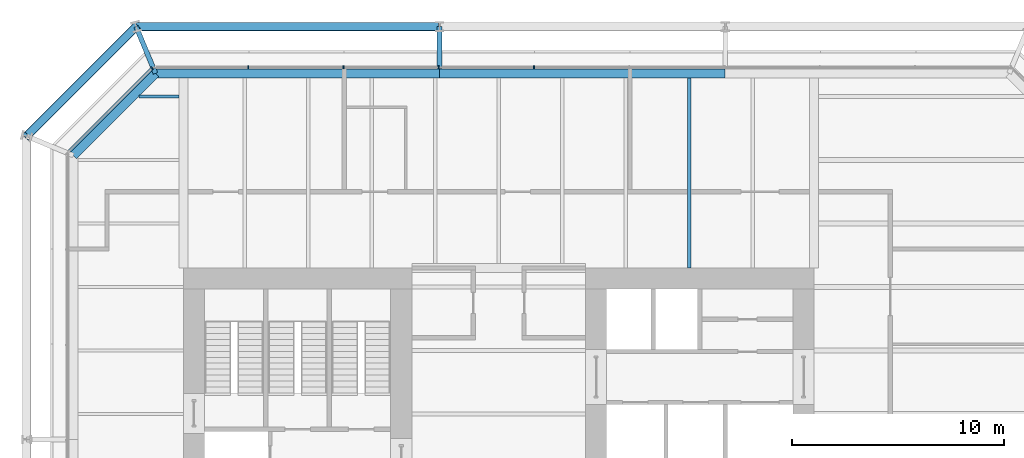
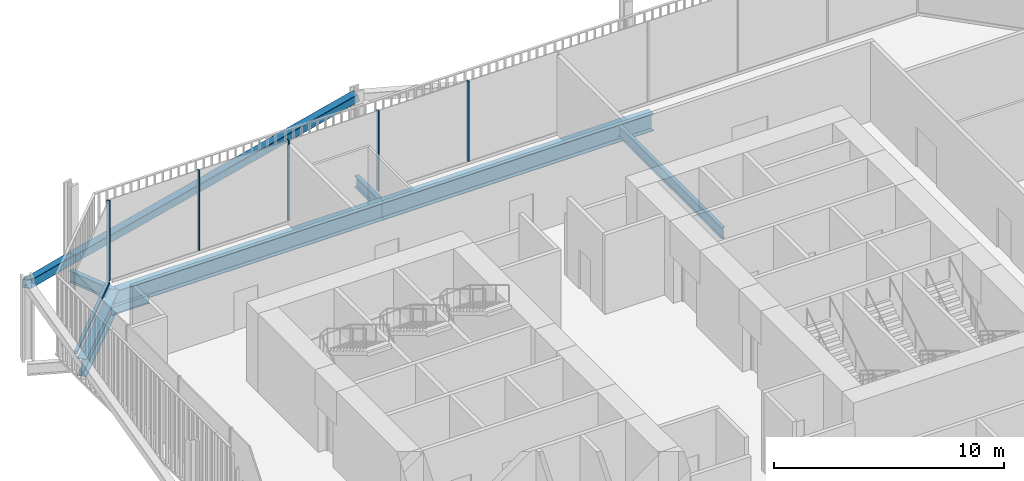
# One storey, part 12 of 21: 8 members, 7 beams, 2 elements without a shape of their own.
"""IFC4 building model written with IfcOpenShell, lengths in metres."""

from ifc_helpers import new_model, si_unit, direction, frame, origin, origin_2d, place, context, subcontext, project, spatial, rectangle, hollow_rectangle, i_section, extrude, material, layer, layer_set, material_profile, profile_set, type_object, element, aggregate, save


model = new_model("IFC4")

# Units and contexts
model_context = context("Model", 3, precision=1e-05, world=origin(), true_north=direction((0.0, 1.0)))
body_context = subcontext(model_context, "Body", "Model", "MODEL_VIEW")
ifc_project = project(units=[si_unit("LENGTHUNIT", "METRE"), si_unit("AREAUNIT", "SQUARE_METRE"), si_unit("VOLUMEUNIT", "CUBIC_METRE"), si_unit("PLANEANGLEUNIT", "RADIAN"), si_unit("MASSUNIT", "GRAM", prefix="KILO")], contexts=[model_context])

# Site, building, storey
site_placement = place(None, origin())
site = spatial("IfcSite", under=ifc_project, at=site_placement, CompositionType="ELEMENT")
building_placement = place(site_placement, origin())
building = spatial("IfcBuilding", under=site, at=building_placement, Name="Millrace Tower", CompositionType="ELEMENT")
storey_placement = place(building_placement, frame((0.0, 0.0, 90.800048828125)))
storey = spatial("IfcBuildingStorey", under=building, at=storey_placement, Name="L20", CompositionType="ELEMENT", Elevation=90.800048828125)

# Curtain wall, members
ifc_material_1 = material(Name="Aluminium and glass", Category="aluminium")
ifc_layer = layer(ifc_material_1, 0.14990234375)
ifc_layer_set = layer_set([ifc_layer], Name="Aluminium and glass")
curtain_wall_type = type_object("IfcCurtainWallType", Name="CW-3 telecom floor curtain wall", PredefinedType="NOTDEFINED", material=ifc_layer_set)
placement = place(storey_placement, origin())
curtain_wall_1 = element("IfcCurtainWall", 1, at=placement, inside=storey, type_object=curtain_wall_type, Name="Curtain wall B-F06 L20", PredefinedType="NOTDEFINED")
ifc_material_2 = material(Name="Aluminium", Category="aluminium")
ifc_material_profile_1 = material_profile(ifc_material_2, rectangle(XDim=0.06494140625, YDim=0.14990234375, at=origin_2d()))
ifc_profile_set_1 = profile_set([ifc_material_profile_1], Name="Aluminium")
member_type_1 = type_object("IfcMemberType", Name="CW-3 telecom floor curtain wall mullion", PredefinedType="MULLION", material=ifc_profile_set_1)
member_1_placement = place(storey_placement, frame((1.66748046875, 19.375, 0.14990234375), z_axis=(0.0, 0.0, 1.0), x_axis=(-1.0, 0.0, 0.0)))
member_1 = element("IfcMember", 2, at=member_1_placement, type_object=member_type_1, Name="CW3 mullion B-F06.6", PredefinedType="MULLION", context=body_context, shape_type="SweptSolid", body=[
    extrude(rectangle(XDim=0.06494140625, YDim=0.14990234375, at=origin_2d()), origin(), (0.0, 0.0, 1.0), 4.25),
])
member_2_placement = place(storey_placement, frame((-2.83251953125, 19.375, 0.14990234375), z_axis=(0.0, 0.0, 1.0), x_axis=(-1.0, 0.0, 0.0)))
member_2 = element("IfcMember", 3, at=member_2_placement, type_object=member_type_1, Name="CW3 mullion B-F06.7", PredefinedType="MULLION", context=body_context, shape_type="SweptSolid", body=[
    extrude(rectangle(XDim=0.06494140625, YDim=0.14990234375, at=origin_2d()), origin(), (0.0, 0.0, 1.0), 4.25),
])
member_3_placement = place(storey_placement, frame((-7.33251953125, 19.375, 0.14990234375), z_axis=(0.0, 0.0, 1.0), x_axis=(-1.0, 0.0, 0.0)))
member_3 = element("IfcMember", 4, at=member_3_placement, type_object=member_type_1, Name="CW3 mullion B-F06.8", PredefinedType="MULLION", context=body_context, shape_type="SweptSolid", body=[
    extrude(rectangle(XDim=0.06494140625, YDim=0.14990234375, at=origin_2d()), origin(), (0.0, 0.0, 1.0), 4.25),
])
member_4_placement = place(storey_placement, frame((-11.83251953125, 19.375, 0.14990234375), z_axis=(0.0, 0.0, 1.0), x_axis=(-1.0, 0.0, 0.0)))
member_4 = element("IfcMember", 5, at=member_4_placement, type_object=member_type_1, Name="CW3 mullion B-F06.9", PredefinedType="MULLION", context=body_context, shape_type="SweptSolid", body=[
    extrude(rectangle(XDim=0.06494140625, YDim=0.14990234375, at=origin_2d()), origin(), (0.0, 0.0, 1.0), 4.25),
])
aggregate(curtain_wall_1, [member_1, member_2, member_3, member_4])

curtain_wall_2 = element("IfcCurtainWall", 6, at=placement, inside=storey, type_object=curtain_wall_type, Name="Curtain wall B-F07 L20", PredefinedType="NOTDEFINED")
member_5_placement = place(storey_placement, frame((-16.3759765625, 19.330078125, 0.14990234375), z_axis=(0.0, 0.0, 1.0), x_axis=(-0.707106781187, -0.707106781187, 0.0)))
member_5 = element("IfcMember", 7, at=member_5_placement, type_object=member_type_1, Name="CW3 mullion B-F07.1", PredefinedType="MULLION", context=body_context, shape_type="SweptSolid", body=[
    extrude(rectangle(XDim=0.06494140625, YDim=0.14990234375, at=origin_2d()), origin(), (0.0, 0.0, 1.0), 4.25),
])
ifc_material_3 = material(Name="Aluminium", Category="aluminium")
ifc_material_profile_2 = material_profile(ifc_material_3, rectangle(XDim=0.14990234375, YDim=0.14990234375, at=origin_2d()))
ifc_profile_set_2 = profile_set([ifc_material_profile_2], Name="Aluminium")
member_type_2 = type_object("IfcMemberType", Name="CW-3 telecom floor curtain wall transom", PredefinedType="USERDEFINED", material=ifc_profile_set_2)
member_6_placement = place(storey_placement, frame((-16.423828125, 19.2822265625, 0.074951171875), z_axis=(-0.707106781187, -0.707106781187, 0.0), x_axis=(0.707106781187, -0.707106781187, 0.0)))
member_6 = element("IfcMember", 8, at=member_6_placement, type_object=member_type_2, Name="CW3 transom B-F07.1", ObjectType="TRANSOM", PredefinedType="USERDEFINED", context=body_context, shape_type="SweptSolid", body=[
    extrude(rectangle(XDim=0.14990234375, YDim=0.14990234375, at=origin_2d()), origin(), (0.0, 0.0, 1.0), 5.45654296875),
])
aggregate(curtain_wall_2, [member_5, member_6])

# Members
ifc_material_4 = material(Name="Steel ASTM A500 Grade C", Category="steel")
ifc_material_profile_3 = material_profile(ifc_material_4, hollow_rectangle(XDim=0.406494140625, YDim=0.406494140625, WallThickness=0.015869140625, InnerFilletRadius=0.008056640625, OuterFilletRadius=0.02392578125, at=origin_2d()))
ifc_profile_set_3 = profile_set([ifc_material_profile_3], Name="Steel ASTM A500 Grade C")
member_type_3 = type_object("IfcMemberType", Name="Exoskeleton brace HSS16x16x5/8", PredefinedType="BRACE", material=ifc_profile_set_3)
member_7_placement = place(storey_placement, frame((-17.12841796875, 21.300048828125, 0.39990234375), z_axis=(0.969855058964, 0.0, 0.243682507787), x_axis=(0.0, 1.0, 0.0)))
element("IfcMember", 9, at=member_7_placement, inside=storey, type_object=member_type_3, Name="BRC-B-L20-12", PredefinedType="BRACE", context=body_context, shape_type="SweptSolid", body=[
    extrude(hollow_rectangle(XDim=0.406494140625, YDim=0.406494140625, WallThickness=0.015869140625, InnerFilletRadius=0.008056640625, OuterFilletRadius=0.02392578125, at=origin_2d()), origin(), (0.0, 0.0, 1.0), 14.773681640625),
])
member_8_placement = place(storey_placement, frame((-17.12841796875, 21.300048828125, 0.39990234375), z_axis=(-0.634413949017, -0.634413949017, 0.441630934816), x_axis=(0.707106781187, -0.707106781187, 0.0)))
element("IfcMember", 10, at=member_8_placement, inside=storey, type_object=member_type_3, Name="BRC-B-L20-13", PredefinedType="BRACE", context=body_context, shape_type="SweptSolid", body=[
    extrude(hollow_rectangle(XDim=0.406494140625, YDim=0.406494140625, WallThickness=0.015869140625, InnerFilletRadius=0.008056640625, OuterFilletRadius=0.02392578125, at=origin_2d()), origin(), (0.0, 0.0, 1.0), 8.15185546875),
])

# Beams
ifc_material_5 = material(Name="Steel ASTM A992 Grade 50", Category="steel")
ifc_material_profile_4 = material_profile(ifc_material_5, i_section(OverallWidth=0.15234375, OverallDepth=0.449462890625, WebThickness=0.007568359375, FlangeThickness=0.0107421875, FilletRadius=0.01025390625, at=origin_2d()))
ifc_profile_set_4 = profile_set([ifc_material_profile_4], Name="Steel ASTM A992 Grade 50")
beam_type_1 = type_object("IfcBeamType", Name="Floor beam W18x35", PredefinedType="JOIST", material=ifc_profile_set_4)
beam_1_placement = place(storey_placement, frame((-16.995361328125, 18.0, -0.4248046875), z_axis=(1.0, 0.0, 0.0), x_axis=(0.0, 1.0, 0.0)))
element("IfcBeam", 11, at=beam_1_placement, inside=storey, type_object=beam_type_1, Name="BM-B-L20-S1-S038", PredefinedType="JOIST", context=body_context, shape_type="SweptSolid", body=[
    extrude(i_section(OverallWidth=0.15234375, OverallDepth=0.449462890625, WebThickness=0.007568359375, FlangeThickness=0.0107421875, FilletRadius=0.01025390625, at=origin_2d()), origin(), (0.0, 0.0, 1.0), 1.884521484375),
])
ifc_material_6 = material(Name="Steel ASTM A992 Grade 50", Category="steel")
ifc_material_profile_5 = material_profile(ifc_material_6, i_section(OverallWidth=0.177978515625, OverallDepth=0.599365234375, WebThickness=0.010009765625, FlangeThickness=0.012939453125, FilletRadius=0.012939453125, at=origin_2d()))
ifc_profile_set_5 = profile_set([ifc_material_profile_5], Name="Steel ASTM A992 Grade 50")
beam_type_2 = type_object("IfcBeamType", Name="Floor beam W24x55", PredefinedType="JOIST", material=ifc_profile_set_5)
beam_2_placement = place(storey_placement, frame((9.0, 9.89990234375, -0.499755859375), z_axis=(0.0, 1.0, 0.0), x_axis=(-1.0, 0.0, 0.0)))
element("IfcBeam", 12, at=beam_2_placement, inside=storey, type_object=beam_type_2, Name="BM-B-L20-S1-S054", PredefinedType="JOIST", context=body_context, shape_type="SweptSolid", body=[
    extrude(i_section(OverallWidth=0.177978515625, OverallDepth=0.599365234375, WebThickness=0.010009765625, FlangeThickness=0.012939453125, FilletRadius=0.012939453125, at=origin_2d()), origin(), (0.0, 0.0, 1.0), 8.98095703125),
])
ifc_material_7 = material(Name="Steel ASTM A992 Grade 50", Category="steel")
ifc_material_profile_6 = material_profile(ifc_material_7, i_section(OverallWidth=0.23046875, OverallDepth=0.6171875, WebThickness=0.01318359375, FlangeThickness=0.022216796875, FilletRadius=0.012939453125, at=origin_2d()))
ifc_profile_set_6 = profile_set([ifc_material_profile_6], Name="Steel ASTM A992 Grade 50")
beam_type_3 = type_object("IfcBeamType", Name="Link beam W24x94", PredefinedType="BEAM", material=ifc_profile_set_6)
beam_3_placement = place(storey_placement, frame((-16.213134765625, 19.09033203125, -0.508544921875), z_axis=(-0.382679341507, 0.923881226989, 0.0), x_axis=(-0.923881226989, -0.382679341507, 0.0)))
element("IfcBeam", 13, at=beam_3_placement, inside=storey, type_object=beam_type_3, Name="LNK-B-L20-S1-05", PredefinedType="BEAM", context=body_context, shape_type="SweptSolid", body=[
    extrude(i_section(OverallWidth=0.23046875, OverallDepth=0.6171875, WebThickness=0.01318359375, FlangeThickness=0.022216796875, FilletRadius=0.012939453125, at=origin_2d()), origin(), (0.0, 0.0, 1.0), 2.391845703125),
])
beam_4_placement = place(storey_placement, frame((-2.800048828125, 19.300048828125, -0.508544921875), z_axis=(0.0, 1.0, 0.0), x_axis=(-1.0, 0.0, 0.0)))
element("IfcBeam", 14, at=beam_4_placement, inside=storey, type_object=beam_type_3, Name="LNK-B-L20-S1-06", PredefinedType="BEAM", context=body_context, shape_type="SweptSolid", body=[
    extrude(i_section(OverallWidth=0.23046875, OverallDepth=0.6171875, WebThickness=0.01318359375, FlangeThickness=0.022216796875, FilletRadius=0.012939453125, at=origin_2d()), origin(), (0.0, 0.0, 1.0), 2.0),
])
ifc_material_8 = material(Name="Steel ASTM A992 Grade 50", Category="steel")
ifc_material_profile_7 = material_profile(ifc_material_8, i_section(OverallWidth=0.419189453125, OverallDepth=0.927001953125, WebThickness=0.019287109375, FlangeThickness=0.031982421875, FilletRadius=0.024169921875, at=origin_2d()))
ifc_profile_set_7 = profile_set([ifc_material_profile_7], Name="Steel ASTM A992 Grade 50")
beam_type_4 = type_object("IfcBeamType", Name="Ring beam medium span W36x231", PredefinedType="SPANDREL", material=ifc_profile_set_7)
beam_5_placement = place(storey_placement, frame((-16.213134765625, 19.09033203125, -0.66357421875), z_axis=(1.0, 0.0, 0.0), x_axis=(0.0, 1.0, 0.0)))
element("IfcBeam", 15, at=beam_5_placement, inside=storey, type_object=beam_type_4, Name="RNG-B-L20-S1-05", PredefinedType="SPANDREL", context=body_context, shape_type="SweptSolid", body=[
    extrude(i_section(OverallWidth=0.419189453125, OverallDepth=0.927001953125, WebThickness=0.019287109375, FlangeThickness=0.031982421875, FilletRadius=0.024169921875, at=origin_2d()), origin(), (0.0, 0.0, 1.0), 13.4130859375),
])
beam_6_placement = place(storey_placement, frame((-2.800048828125, 19.09033203125, -0.66357421875), z_axis=(1.0, 0.0, 0.0), x_axis=(0.0, 1.0, 0.0)))
element("IfcBeam", 16, at=beam_6_placement, inside=storey, type_object=beam_type_4, Name="RNG-B-L20-S1-06", PredefinedType="SPANDREL", context=body_context, shape_type="SweptSolid", body=[
    extrude(i_section(OverallWidth=0.419189453125, OverallDepth=0.927001953125, WebThickness=0.019287109375, FlangeThickness=0.031982421875, FilletRadius=0.024169921875, at=origin_2d()), origin(), (0.0, 0.0, 1.0), 13.5),
])
ifc_material_9 = material(Name="Steel ASTM A992 Grade 50", Category="steel")
ifc_material_profile_8 = material_profile(ifc_material_9, i_section(OverallWidth=0.419189453125, OverallDepth=0.927001953125, WebThickness=0.019287109375, FlangeThickness=0.031982421875, FilletRadius=0.024169921875, at=origin_2d()))
ifc_profile_set_8 = profile_set([ifc_material_profile_8], Name="Steel ASTM A992 Grade 50")
beam_type_5 = type_object("IfcBeamType", Name="Ring beam short span W36x231", PredefinedType="SPANDREL", material=ifc_profile_set_8)
beam_7_placement = place(storey_placement, frame((-20.09033203125, 15.213134765625, -0.66357421875), z_axis=(0.707106781187, 0.707106781187, 0.0), x_axis=(-0.707106781187, 0.707106781187, 0.0)))
element("IfcBeam", 17, at=beam_7_placement, inside=storey, type_object=beam_type_5, Name="RNG-B-L20-S1-04", PredefinedType="SPANDREL", context=body_context, shape_type="SweptSolid", body=[
    extrude(i_section(OverallWidth=0.419189453125, OverallDepth=0.927001953125, WebThickness=0.019287109375, FlangeThickness=0.031982421875, FilletRadius=0.024169921875, at=origin_2d()), origin(), (0.0, 0.0, 1.0), 5.483154296875),
])

save(model, "model.ifc")
